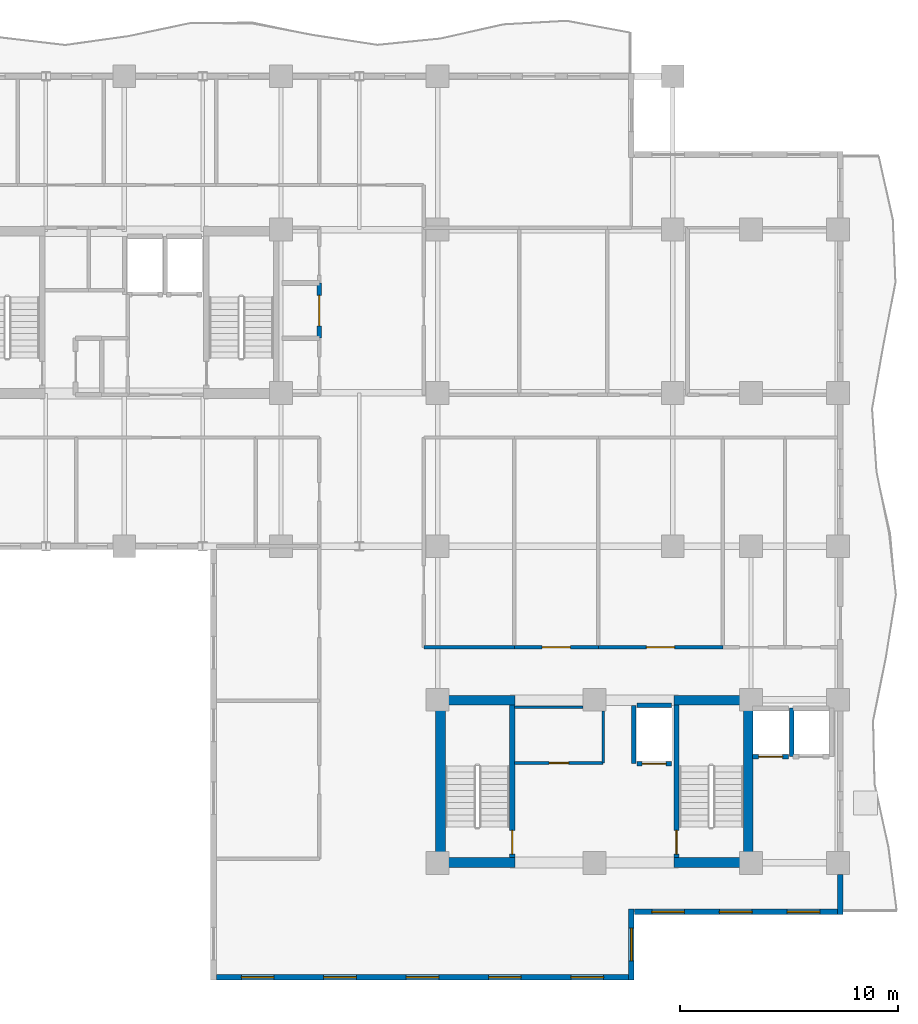
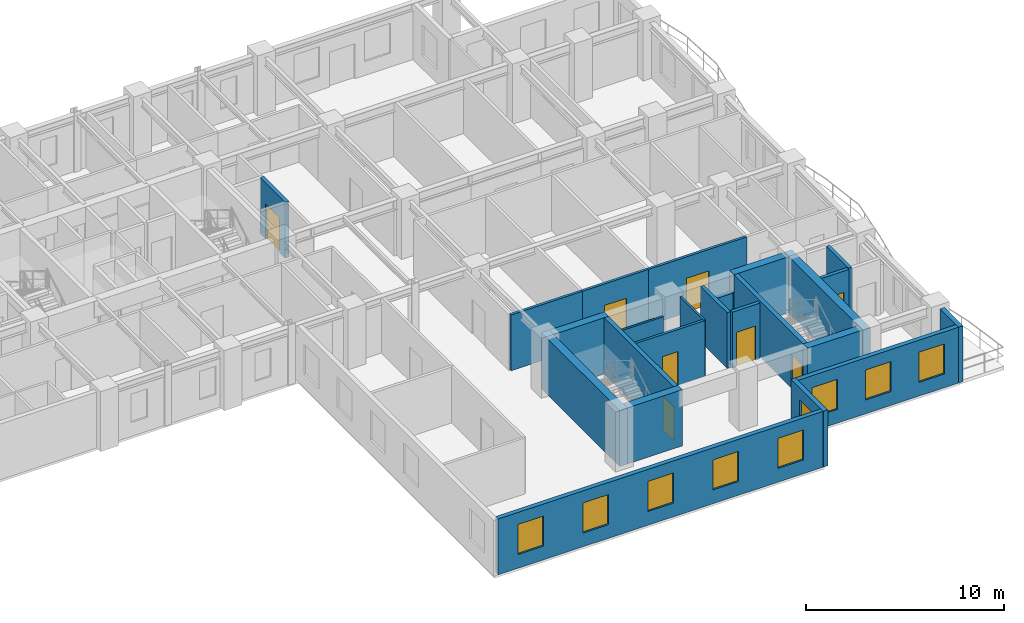
# One storey, part 11 of 18: 24 walls, 9 windows, 8 doors, 17 openings.
"""IFC4 building model written with IfcOpenShell, lengths in metres."""

from ifc_helpers import new_model, si_unit, direction, frame, frame_2d, origin, place, context, subcontext, project, spatial, rectangle, extrude, material, layer, layer_set, type_object, element, fill, save


model = new_model("IFC4")

# Units and contexts
model_context = context("Model", 3, precision=1e-05, world=origin(), true_north=direction((0.0, 1.0)))
body_context = subcontext(model_context, "Body", "Model", "MODEL_VIEW")
ifc_project = project(units=[si_unit("LENGTHUNIT", "METRE"), si_unit("AREAUNIT", "SQUARE_METRE"), si_unit("VOLUMEUNIT", "CUBIC_METRE"), si_unit("PLANEANGLEUNIT", "RADIAN"), si_unit("MASSUNIT", "GRAM", prefix="KILO")], contexts=[model_context])

# Site, building, storey
site_placement = place(None, origin())
site = spatial("IfcSite", under=ifc_project, at=site_placement, CompositionType="ELEMENT")
building_placement = place(site_placement, origin())
building = spatial("IfcBuilding", under=site, at=building_placement, Name="Kaliganga Portal Commons", CompositionType="ELEMENT")
storey_placement = place(building_placement, frame((0.0, 0.0, 169.800048828125)))
storey = spatial("IfcBuildingStorey", under=building, at=storey_placement, Name="L43", CompositionType="ELEMENT", Elevation=169.800048828125)

# Walls
ifc_material_1 = material(Name="Concrete C60/75", Category="concrete")
ifc_layer_1 = layer(ifc_material_1, 0.449951171875)
ifc_layer_set_1 = layer_set([ifc_layer_1], Name="Concrete C60/75")
wall_type_1 = type_object("IfcWallType", Name="WL-CORE-450", PredefinedType="SHEAR", material=ifc_layer_set_1)
for number, where, z_axis, x_axis, name in (
    (1, (36.125, 6.85009765625, 0.0), (0.0, 0.0, 1.0), (0.0, 1.0, 0.0), "Core B West Shear Wall L43"),
    (2, (50.27490234375, 6.85009765625, 0.0), (0.0, 0.0, 1.0), (0.0, 1.0, 0.0), "Core B East Shear Wall L43"),
):
    element("IfcWall", number, at=place(storey_placement, frame(where, z_axis=z_axis, x_axis=x_axis)), inside=storey, type_object=wall_type_1, Name=name, PredefinedType="SHEAR", context=body_context, shape_type="SweptSolid", body=[
        extrude(rectangle(XDim=7.89990234375, YDim=0.449951171875, at=frame_2d((3.949951171875, 0.0))), origin(), (0.0, 0.0, 1.0), 3.4599609375),
    ])
for number, where, z_axis, x_axis, name in (
    (3, (36.35009765625, 7.074951171875, 0.0), (0.0, 0.0, 1.0), (1.0, 0.0, 0.0), "Core B S-West Shear Wall L43"),
    (4, (46.85009765625, 7.074951171875, 0.0), (0.0, 0.0, 1.0), (1.0, 0.0, 0.0), "Core B S-East Shear Wall L43"),
    (5, (36.35009765625, 14.52490234375, 0.0), (0.0, 0.0, 1.0), (1.0, 0.0, 0.0), "Core B N-West Shear Wall L43"),
    (6, (46.85009765625, 14.52490234375, 0.0), (0.0, 0.0, 1.0), (1.0, 0.0, 0.0), "Core B N-East Shear Wall L43"),
):
    element("IfcWall", number, at=place(storey_placement, frame(where, z_axis=z_axis, x_axis=x_axis)), inside=storey, type_object=wall_type_1, Name=name, PredefinedType="SHEAR", context=body_context, shape_type="SweptSolid", body=[
        extrude(rectangle(XDim=3.199951171875, YDim=0.449951171875, at=frame_2d((1.60009765625, 0.0))), origin(), (0.0, 0.0, 1.0), 3.4599609375),
    ])

# Wall, openings, windows
ifc_material_2 = material(Name="Insulated Aluminium-Clad Spandrel Assembly", Category="aluminium")
ifc_layer_2 = layer(ifc_material_2, 0.260009765625)
ifc_layer_set_2 = layer_set([ifc_layer_2], Name="Insulated Aluminium-Clad Spandrel Assembly")
wall_type_2 = type_object("IfcWallType", Name="WL-EXT-SPAND-260", PredefinedType="STANDARD", material=ifc_layer_set_2)
wall_1_placement = place(storey_placement, frame((44.764892578125, 1.800048828125, 0.0), z_axis=(0.0, 0.0, 1.0), x_axis=(-1.0, 0.0, 0.0)))
wall_1 = element("IfcWall", 7, at=wall_1_placement, inside=storey, type_object=wall_type_2, Name="Exterior Envelope Wall L43 P1-E00-S1", PredefinedType="STANDARD", context=body_context, shape_type="SweptSolid", body=[
    extrude(rectangle(XDim=18.929931640625, YDim=0.260009765625, at=frame_2d((9.46484375, 0.0))), origin(), (0.0, 0.0, 1.0), 3.43994140625),
])
opening_1_placement = place(wall_1_placement, frame((1.14306640625, 0.0, 0.85009765625)))
opening_1 = element("IfcOpeningElement", 8, at=opening_1_placement, cuts=wall_1, Name="Opening W-02", PredefinedType="OPENING", context=body_context, shape_type="SweptSolid", body=[
    extrude(rectangle(XDim=1.5, YDim=1.85009765625, at=frame_2d((0.75, 0.925048828125))), frame((0.0, 0.14013671875, 0.0), z_axis=(0.0, -1.0, 0.0), x_axis=(1.0, 0.0, 0.0)), (0.0, 0.0, 1.0), 0.280029296875),
])
opening_2_placement = place(wall_1_placement, frame((4.928955078125, 0.0, 0.85009765625)))
opening_2 = element("IfcOpeningElement", 9, at=opening_2_placement, cuts=wall_1, Name="Opening W-02", PredefinedType="OPENING", context=body_context, shape_type="SweptSolid", body=[
    extrude(rectangle(XDim=1.5, YDim=1.85009765625, at=frame_2d((0.75, 0.925048828125))), frame((0.0, 0.14013671875, 0.0), z_axis=(0.0, -1.0, 0.0), x_axis=(1.0, 0.0, 0.0)), (0.0, 0.0, 1.0), 0.280029296875),
])
opening_3_placement = place(wall_1_placement, frame((8.715087890625, 0.0, 0.85009765625)))
opening_3 = element("IfcOpeningElement", 10, at=opening_3_placement, cuts=wall_1, Name="Opening W-02", PredefinedType="OPENING", context=body_context, shape_type="SweptSolid", body=[
    extrude(rectangle(XDim=1.5, YDim=1.85009765625, at=frame_2d((0.75, 0.925048828125))), frame((0.0, 0.14013671875, 0.0), z_axis=(0.0, -1.0, 0.0), x_axis=(1.0, 0.0, 0.0)), (0.0, 0.0, 1.0), 0.280029296875),
])
opening_4_placement = place(wall_1_placement, frame((12.5009765625, 0.0, 0.85009765625)))
opening_4 = element("IfcOpeningElement", 11, at=opening_4_placement, cuts=wall_1, Name="Opening W-02", PredefinedType="OPENING", context=body_context, shape_type="SweptSolid", body=[
    extrude(rectangle(XDim=1.5, YDim=1.85009765625, at=frame_2d((0.75, 0.925048828125))), frame((0.0, 0.14013671875, 0.0), z_axis=(0.0, -1.0, 0.0), x_axis=(1.0, 0.0, 0.0)), (0.0, 0.0, 1.0), 0.280029296875),
])
opening_5_placement = place(wall_1_placement, frame((16.287109375, 0.0, 0.85009765625)))
opening_5 = element("IfcOpeningElement", 12, at=opening_5_placement, cuts=wall_1, Name="Opening W-02", PredefinedType="OPENING", context=body_context, shape_type="SweptSolid", body=[
    extrude(rectangle(XDim=1.5, YDim=1.85009765625, at=frame_2d((0.75, 0.925048828125))), frame((0.0, 0.14013671875, 0.0), z_axis=(0.0, -1.0, 0.0), x_axis=(1.0, 0.0, 0.0)), (0.0, 0.0, 1.0), 0.280029296875),
])
ifc_material_3 = material(Name="Thermally Broken Aluminium and Low-E Double Glazing", Category="aluminium")
window_type = type_object("IfcWindowType", Name="WIN-STD-1500", PartitioningType="DOUBLE_PANEL_VERTICAL", PredefinedType="WINDOW", material=ifc_material_3)
window_1_placement = place(opening_1_placement, origin())
window_1 = element("IfcWindow", 13, at=window_1_placement, inside=storey, type_object=window_type, Name="Facade Window L43-P1E00S1-00", OverallHeight=1.85009765625, OverallWidth=1.5, PartitioningType="SINGLE_PANEL", PredefinedType="WINDOW", context=body_context, shape_type="SweptSolid", body=[
    extrude(rectangle(XDim=1.5, YDim=1.85009765625, at=frame_2d((0.75, 0.925048828125))), frame((0.0, 0.030029296875, 0.0), z_axis=(0.0, -1.0, 0.0), x_axis=(1.0, 0.0, 0.0)), (0.0, 0.0, 1.0), 0.06005859375),
])
fill(opening_1, window_1)
window_2_placement = place(opening_2_placement, origin())
window_2 = element("IfcWindow", 14, at=window_2_placement, inside=storey, type_object=window_type, Name="Facade Window L43-P1E00S1-01", OverallHeight=1.85009765625, OverallWidth=1.5, PartitioningType="SINGLE_PANEL", PredefinedType="WINDOW", context=body_context, shape_type="SweptSolid", body=[
    extrude(rectangle(XDim=1.5, YDim=1.85009765625, at=frame_2d((0.75, 0.925048828125))), frame((0.0, 0.030029296875, 0.0), z_axis=(0.0, -1.0, 0.0), x_axis=(1.0, 0.0, 0.0)), (0.0, 0.0, 1.0), 0.06005859375),
])
fill(opening_2, window_2)
window_3_placement = place(opening_3_placement, origin())
window_3 = element("IfcWindow", 15, at=window_3_placement, inside=storey, type_object=window_type, Name="Facade Window L43-P1E00S1-02", OverallHeight=1.85009765625, OverallWidth=1.5, PartitioningType="SINGLE_PANEL", PredefinedType="WINDOW", context=body_context, shape_type="SweptSolid", body=[
    extrude(rectangle(XDim=1.5, YDim=1.85009765625, at=frame_2d((0.75, 0.925048828125))), frame((0.0, 0.030029296875, 0.0), z_axis=(0.0, -1.0, 0.0), x_axis=(1.0, 0.0, 0.0)), (0.0, 0.0, 1.0), 0.06005859375),
])
fill(opening_3, window_3)
window_4_placement = place(opening_4_placement, origin())
window_4 = element("IfcWindow", 16, at=window_4_placement, inside=storey, type_object=window_type, Name="Facade Window L43-P1E00S1-03", OverallHeight=1.85009765625, OverallWidth=1.5, PartitioningType="SINGLE_PANEL", PredefinedType="WINDOW", context=body_context, shape_type="SweptSolid", body=[
    extrude(rectangle(XDim=1.5, YDim=1.85009765625, at=frame_2d((0.75, 0.925048828125))), frame((0.0, 0.030029296875, 0.0), z_axis=(0.0, -1.0, 0.0), x_axis=(1.0, 0.0, 0.0)), (0.0, 0.0, 1.0), 0.06005859375),
])
fill(opening_4, window_4)
window_5_placement = place(opening_5_placement, origin())
window_5 = element("IfcWindow", 17, at=window_5_placement, inside=storey, type_object=window_type, Name="Facade Window L43-P1E00S1-04", OverallHeight=1.85009765625, OverallWidth=1.5, PartitioningType="SINGLE_PANEL", PredefinedType="WINDOW", context=body_context, shape_type="SweptSolid", body=[
    extrude(rectangle(XDim=1.5, YDim=1.85009765625, at=frame_2d((0.75, 0.925048828125))), frame((0.0, 0.030029296875, 0.0), z_axis=(0.0, -1.0, 0.0), x_axis=(1.0, 0.0, 0.0)), (0.0, 0.0, 1.0), 0.06005859375),
])
fill(opening_5, window_5)

# Wall, opening, window
wall_2_placement = place(storey_placement, frame((44.89990234375, 4.929931640625, 0.0), z_axis=(0.0, 0.0, 1.0), x_axis=(0.0, -1.0, 0.0)))
wall_2 = element("IfcWall", 18, at=wall_2_placement, inside=storey, type_object=wall_type_2, Name="Exterior Envelope Wall L43 P1-E01-S1", PredefinedType="STANDARD", context=body_context, shape_type="SweptSolid", body=[
    extrude(rectangle(XDim=3.260009765625, YDim=0.260009765625, at=frame_2d((1.6298828125, 0.0))), origin(), (0.0, 0.0, 1.0), 3.43994140625),
])
opening_6_placement = place(wall_2_placement, frame((0.8798828125, 0.0, 0.85009765625)))
opening_6 = element("IfcOpeningElement", 19, at=opening_6_placement, cuts=wall_2, Name="Opening W-02", PredefinedType="OPENING", context=body_context, shape_type="SweptSolid", body=[
    extrude(rectangle(XDim=1.5, YDim=1.85009765625, at=frame_2d((0.75, 0.925048828125))), frame((0.0, 0.14013671875, 0.0), z_axis=(0.0, -1.0, 0.0), x_axis=(1.0, 0.0, 0.0)), (0.0, 0.0, 1.0), 0.280029296875),
])
window_6_placement = place(opening_6_placement, origin())
window_6 = element("IfcWindow", 20, at=window_6_placement, inside=storey, type_object=window_type, Name="Facade Window L43-P1E01S1-00", OverallHeight=1.85009765625, OverallWidth=1.5, PartitioningType="SINGLE_PANEL", PredefinedType="WINDOW", context=body_context, shape_type="SweptSolid", body=[
    extrude(rectangle(XDim=1.5, YDim=1.85009765625, at=frame_2d((0.75, 0.925048828125))), frame((0.0, 0.030029296875, 0.0), z_axis=(0.0, -1.0, 0.0), x_axis=(1.0, 0.0, 0.0)), (0.0, 0.0, 1.0), 0.06005859375),
])
fill(opening_6, window_6)

# Wall, openings, windows
wall_3_placement = place(storey_placement, frame((54.364990234375, 4.800048828125, 0.0), z_axis=(0.0, 0.0, 1.0), x_axis=(-1.0, 0.0, 0.0)))
wall_3 = element("IfcWall", 21, at=wall_3_placement, inside=storey, type_object=wall_type_2, Name="Exterior Envelope Wall L43 P1-E02-S1", PredefinedType="STANDARD", context=body_context, shape_type="SweptSolid", body=[
    extrude(rectangle(XDim=9.330078125, YDim=0.260009765625, at=frame_2d((4.6650390625, 0.0))), origin(), (0.0, 0.0, 1.0), 3.43994140625),
])
opening_7_placement = place(wall_3_placement, frame((0.804931640625, 0.0, 0.85009765625)))
opening_7 = element("IfcOpeningElement", 22, at=opening_7_placement, cuts=wall_3, Name="Opening W-02", PredefinedType="OPENING", context=body_context, shape_type="SweptSolid", body=[
    extrude(rectangle(XDim=1.5, YDim=1.85009765625, at=frame_2d((0.75, 0.925048828125))), frame((0.0, 0.14013671875, 0.0), z_axis=(0.0, -1.0, 0.0), x_axis=(1.0, 0.0, 0.0)), (0.0, 0.0, 1.0), 0.280029296875),
])
opening_8_placement = place(wall_3_placement, frame((3.9150390625, 0.0, 0.85009765625)))
opening_8 = element("IfcOpeningElement", 23, at=opening_8_placement, cuts=wall_3, Name="Opening W-02", PredefinedType="OPENING", context=body_context, shape_type="SweptSolid", body=[
    extrude(rectangle(XDim=1.5, YDim=1.85009765625, at=frame_2d((0.75, 0.925048828125))), frame((0.0, 0.14013671875, 0.0), z_axis=(0.0, -1.0, 0.0), x_axis=(1.0, 0.0, 0.0)), (0.0, 0.0, 1.0), 0.280029296875),
])
opening_9_placement = place(wall_3_placement, frame((7.02490234375, 0.0, 0.85009765625)))
opening_9 = element("IfcOpeningElement", 24, at=opening_9_placement, cuts=wall_3, Name="Opening W-02", PredefinedType="OPENING", context=body_context, shape_type="SweptSolid", body=[
    extrude(rectangle(XDim=1.5, YDim=1.85009765625, at=frame_2d((0.75, 0.925048828125))), frame((0.0, 0.14013671875, 0.0), z_axis=(0.0, -1.0, 0.0), x_axis=(1.0, 0.0, 0.0)), (0.0, 0.0, 1.0), 0.280029296875),
])
window_7_placement = place(opening_7_placement, origin())
window_7 = element("IfcWindow", 25, at=window_7_placement, inside=storey, type_object=window_type, Name="Facade Window L43-P1E02S1-00", OverallHeight=1.85009765625, OverallWidth=1.5, PartitioningType="SINGLE_PANEL", PredefinedType="WINDOW", context=body_context, shape_type="SweptSolid", body=[
    extrude(rectangle(XDim=1.5, YDim=1.85009765625, at=frame_2d((0.75, 0.925048828125))), frame((0.0, 0.030029296875, 0.0), z_axis=(0.0, -1.0, 0.0), x_axis=(1.0, 0.0, 0.0)), (0.0, 0.0, 1.0), 0.06005859375),
])
fill(opening_7, window_7)
window_8_placement = place(opening_8_placement, origin())
window_8 = element("IfcWindow", 26, at=window_8_placement, inside=storey, type_object=window_type, Name="Facade Window L43-P1E02S1-01", OverallHeight=1.85009765625, OverallWidth=1.5, PartitioningType="SINGLE_PANEL", PredefinedType="WINDOW", context=body_context, shape_type="SweptSolid", body=[
    extrude(rectangle(XDim=1.5, YDim=1.85009765625, at=frame_2d((0.75, 0.925048828125))), frame((0.0, 0.030029296875, 0.0), z_axis=(0.0, -1.0, 0.0), x_axis=(1.0, 0.0, 0.0)), (0.0, 0.0, 1.0), 0.06005859375),
])
fill(opening_8, window_8)
window_9_placement = place(opening_9_placement, origin())
window_9 = element("IfcWindow", 27, at=window_9_placement, inside=storey, type_object=window_type, Name="Facade Window L43-P1E02S1-02", OverallHeight=1.85009765625, OverallWidth=1.5, PartitioningType="SINGLE_PANEL", PredefinedType="WINDOW", context=body_context, shape_type="SweptSolid", body=[
    extrude(rectangle(XDim=1.5, YDim=1.85009765625, at=frame_2d((0.75, 0.925048828125))), frame((0.0, 0.030029296875, 0.0), z_axis=(0.0, -1.0, 0.0), x_axis=(1.0, 0.0, 0.0)), (0.0, 0.0, 1.0), 0.06005859375),
])
fill(opening_9, window_9)

# Wall
wall_4_placement = place(storey_placement, frame((54.5, 6.52392578125, 0.0), z_axis=(0.0, 0.0, 1.0), x_axis=(0.0, -1.0, 0.0)))
element("IfcWall", 28, at=wall_4_placement, inside=storey, type_object=wall_type_2, Name="Exterior Envelope Wall L43 P1-E03-S1", PredefinedType="STANDARD", context=body_context, shape_type="SweptSolid", body=[
    extrude(rectangle(XDim=1.85400390625, YDim=0.260009765625, at=frame_2d((0.927001953125, 0.0))), origin(), (0.0, 0.0, 1.0), 3.43994140625),
])

# Wall, opening, door
ifc_material_4 = material(Name="Fire-Rated Gypsum Board on Steel Stud", Category="steel")
ifc_layer_3 = layer(ifc_material_4, 0.14990234375)
ifc_layer_set_3 = layer_set([ifc_layer_3], Name="Fire-Rated Gypsum Board on Steel Stud")
wall_type_3 = type_object("IfcWallType", Name="WL-PART-CORR-150", PredefinedType="PARTITIONING", material=ifc_layer_set_3)
wall_5_placement = place(storey_placement, frame((43.3798828125, 16.9599609375, 0.0), z_axis=(0.0, 0.0, 1.0), x_axis=(1.0, 0.0, 0.0)))
wall_5 = element("IfcWall", 29, at=wall_5_placement, inside=storey, type_object=wall_type_3, Name="Interior Partition L43-017", PredefinedType="PARTITIONING", context=body_context, shape_type="SweptSolid", body=[
    extrude(rectangle(XDim=5.72021484375, YDim=0.14990234375, at=frame_2d((2.860107421875, 0.0))), origin(), (0.0, 0.0, 1.0), 3.43994140625),
])
opening_10_placement = place(wall_5_placement, frame((2.2099609375, 0.0, 0.0)))
opening_10 = element("IfcOpeningElement", 30, at=opening_10_placement, cuts=wall_5, Name="Opening RD-03", PredefinedType="OPENING", context=body_context, shape_type="SweptSolid", body=[
    extrude(rectangle(XDim=1.300048828125, YDim=2.1201171875, at=frame_2d((0.64990234375, 1.06005859375))), frame((0.0, 0.0849609375, 0.0), z_axis=(0.0, -1.0, 0.0), x_axis=(1.0, 0.0, 0.0)), (0.0, 0.0, 1.0), 0.169921875),
])
ifc_material_5 = material(Name="Glazed Timber Seminar Vision Door", Category="wood")
door_type_1 = type_object("IfcDoorType", Name="DR-STUDY-1300", OperationType="DOUBLE_DOOR_SINGLE_SWING", PredefinedType="DOOR", material=ifc_material_5)
door_1_placement = place(opening_10_placement, origin())
door_1 = element("IfcDoor", 31, at=door_1_placement, inside=storey, type_object=door_type_1, Name="Interior Door L43-BM03", OperationType="DOUBLE_DOOR_SINGLE_SWING", OverallHeight=2.1201171875, OverallWidth=1.300048828125, PredefinedType="DOOR", context=body_context, shape_type="SweptSolid", body=[
    extrude(rectangle(XDim=1.300048828125, YDim=2.1201171875, at=frame_2d((0.64990234375, 1.06005859375))), frame((0.0, 0.02490234375, 0.0), z_axis=(0.0, -1.0, 0.0), x_axis=(1.0, 0.0, 0.0)), (0.0, 0.0, 1.0), 0.050048828125),
])
fill(opening_10, door_1)

# Wall
wall_6_placement = place(storey_placement, frame((35.360107421875, 16.9599609375, 0.0), z_axis=(0.0, 0.0, 1.0), x_axis=(1.0, 0.0, 0.0)))
element("IfcWall", 32, at=wall_6_placement, inside=storey, type_object=wall_type_3, Name="Interior Partition L43-025", PredefinedType="PARTITIONING", context=body_context, shape_type="SweptSolid", body=[
    extrude(rectangle(XDim=4.159912109375, YDim=0.14990234375, at=frame_2d((2.080078125, 0.0))), origin(), (0.0, 0.0, 1.0), 3.43994140625),
])

# Wall, opening, door
wall_7_placement = place(storey_placement, frame((39.5400390625, 11.639892578125, 0.0), z_axis=(0.0, 0.0, 1.0), x_axis=(1.0, 0.0, 0.0)))
wall_7 = element("IfcWall", 33, at=wall_7_placement, inside=storey, type_object=wall_type_3, Name="Interior Partition L43-027", PredefinedType="PARTITIONING", context=body_context, shape_type="SweptSolid", body=[
    extrude(rectangle(XDim=4.06005859375, YDim=0.14990234375, at=frame_2d((2.030029296875, 0.0))), origin(), (0.0, 0.0, 1.0), 3.43994140625),
])
opening_11_placement = place(wall_7_placement, frame((1.580078125, 0.0, 0.0)))
opening_11 = element("IfcOpeningElement", 34, at=opening_11_placement, cuts=wall_7, Name="Opening RD-01", PredefinedType="OPENING", context=body_context, shape_type="SweptSolid", body=[
    extrude(rectangle(XDim=0.89990234375, YDim=2.080078125, at=frame_2d((0.449951171875, 1.0400390625))), frame((0.0, 0.0849609375, 0.0), z_axis=(0.0, -1.0, 0.0), x_axis=(1.0, 0.0, 0.0)), (0.0, 0.0, 1.0), 0.169921875),
])
ifc_material_6 = material(Name="Engineered Timber Flush Door", Category="wood")
door_type_2 = type_object("IfcDoorType", Name="DR-ROOM-900", OperationType="NOTDEFINED", PredefinedType="DOOR", material=ifc_material_6)
door_2_placement = place(opening_11_placement, origin())
door_2 = element("IfcDoor", 35, at=door_2_placement, inside=storey, type_object=door_type_2, Name="Interior Door L43-CREC_B1", OperationType="SINGLE_SWING_LEFT", OverallHeight=2.080078125, OverallWidth=0.89990234375, PredefinedType="DOOR", context=body_context, shape_type="SweptSolid", body=[
    extrude(rectangle(XDim=0.89990234375, YDim=2.080078125, at=frame_2d((0.449951171875, 1.0400390625))), frame((0.0, 0.02490234375, 0.0), z_axis=(0.0, -1.0, 0.0), x_axis=(1.0, 0.0, 0.0)), (0.0, 0.0, 1.0), 0.050048828125),
])
fill(opening_11, door_2)

wall_8_placement = place(storey_placement, frame((39.52001953125, 16.9599609375, 0.0), z_axis=(0.0, 0.0, 1.0), x_axis=(1.0, 0.0, 0.0)))
wall_8 = element("IfcWall", 36, at=wall_8_placement, inside=storey, type_object=wall_type_3, Name="Interior Partition L43-030", PredefinedType="PARTITIONING", context=body_context, shape_type="SweptSolid", body=[
    extrude(rectangle(XDim=3.85986328125, YDim=0.14990234375, at=frame_2d((1.929931640625, 0.0))), origin(), (0.0, 0.0, 1.0), 3.43994140625),
])
opening_12_placement = place(wall_8_placement, frame((1.280029296875, 0.0, 0.0)))
opening_12 = element("IfcOpeningElement", 37, at=opening_12_placement, cuts=wall_8, Name="Opening RD-03", PredefinedType="OPENING", context=body_context, shape_type="SweptSolid", body=[
    extrude(rectangle(XDim=1.300048828125, YDim=2.1201171875, at=frame_2d((0.64990234375, 1.06005859375))), frame((0.0, 0.0849609375, 0.0), z_axis=(0.0, -1.0, 0.0), x_axis=(1.0, 0.0, 0.0)), (0.0, 0.0, 1.0), 0.169921875),
])
door_3_placement = place(opening_12_placement, origin())
door_3 = element("IfcDoor", 38, at=door_3_placement, inside=storey, type_object=door_type_1, Name="Interior Door L43-BM02", OperationType="DOUBLE_DOOR_SINGLE_SWING", OverallHeight=2.1201171875, OverallWidth=1.300048828125, PredefinedType="DOOR", context=body_context, shape_type="SweptSolid", body=[
    extrude(rectangle(XDim=1.300048828125, YDim=2.1201171875, at=frame_2d((0.64990234375, 1.06005859375))), frame((0.0, 0.02490234375, 0.0), z_axis=(0.0, -1.0, 0.0), x_axis=(1.0, 0.0, 0.0)), (0.0, 0.0, 1.0), 0.050048828125),
])
fill(opening_12, door_3)

ifc_material_7 = material(Name="Lightweight blockwork masonry", Category="masonry")
ifc_layer_4 = layer(ifc_material_7, 0.215087890625)
ifc_layer_set_4 = layer_set([ifc_layer_4], Name="Lightweight blockwork masonry")
wall_type_4 = type_object("IfcWallType", Name="WL-PART-PLANT-215", PredefinedType="PARTITIONING", material=ifc_layer_set_4)
wall_9_placement = place(storey_placement, frame((30.56005859375, 31.159912109375, 0.0), z_axis=(0.0, 0.0, 1.0), x_axis=(0.0, 1.0, 0.0)))
wall_9 = element("IfcWall", 39, at=wall_9_placement, inside=storey, type_object=wall_type_4, Name="Interior Partition L43-043", PredefinedType="PARTITIONING", context=body_context, shape_type="SweptSolid", body=[
    extrude(rectangle(XDim=2.5400390625, YDim=0.215087890625, at=frame_2d((1.27001953125, 0.0))), origin(), (0.0, 0.0, 1.0), 3.43994140625),
])
opening_13_placement = place(wall_9_placement, frame((0.570068359375, 0.0, 0.0)))
opening_13 = element("IfcOpeningElement", 40, at=opening_13_placement, cuts=wall_9, Name="Opening PD-01", PredefinedType="OPENING", context=body_context, shape_type="SweptSolid", body=[
    extrude(rectangle(XDim=1.39990234375, YDim=2.14990234375, at=frame_2d((0.699951171875, 1.074951171875))), frame((0.0, 0.11767578125, 0.0), z_axis=(0.0, -1.0, 0.0), x_axis=(1.0, 0.0, 0.0)), (0.0, 0.0, 1.0), 0.235107421875),
])
ifc_material_8 = material(Name="Heavy-Duty Steel Acoustic Louvre Fire Door", Category="steel")
door_type_3 = type_object("IfcDoorType", Name="DR-PLANT-1400", OperationType="DOUBLE_DOOR_SINGLE_SWING", PredefinedType="DOOR", material=ifc_material_8)
door_4_placement = place(opening_13_placement, origin())
door_4 = element("IfcDoor", 41, at=door_4_placement, inside=storey, type_object=door_type_3, Name="Interior Door L43-CSRV_A3", OperationType="DOUBLE_DOOR_SINGLE_SWING", OverallHeight=2.14990234375, OverallWidth=1.39990234375, PredefinedType="DOOR", context=body_context, shape_type="SweptSolid", body=[
    extrude(rectangle(XDim=1.39990234375, YDim=2.14990234375, at=frame_2d((0.699951171875, 1.074951171875))), frame((0.0, 0.02490234375, 0.0), z_axis=(0.0, -1.0, 0.0), x_axis=(1.0, 0.0, 0.0)), (0.0, 0.0, 1.0), 0.050048828125),
])
fill(opening_13, door_4)

# Walls
ifc_material_9 = material(Name="Moisture-Resistant Gypsum Partition", Category="gypsum")
ifc_layer_5 = layer(ifc_material_9, 0.114990234375)
ifc_layer_set_5 = layer_set([ifc_layer_5], Name="Moisture-Resistant Gypsum Partition")
wall_type_5 = type_object("IfcWallType", Name="WL-PART-ROOM-115", PredefinedType="PARTITIONING", material=ifc_layer_set_5)
wall_10_placement = place(storey_placement, frame((39.5400390625, 14.199951171875, 0.0), z_axis=(0.0, 0.0, 1.0), x_axis=(1.0, 0.0, 0.0)))
element("IfcWall", 42, at=wall_10_placement, inside=storey, type_object=wall_type_5, Name="Interior Partition L43-081", PredefinedType="PARTITIONING", context=body_context, shape_type="SweptSolid", body=[
    extrude(rectangle(XDim=3.135009765625, YDim=0.114990234375, at=frame_2d((1.5673828125, 0.0))), origin(), (0.0, 0.0, 1.0), 2.43994140625),
])
wall_11_placement = place(storey_placement, frame((43.60009765625, 11.639892578125, 0.0), z_axis=(0.0, 0.0, 1.0), x_axis=(0.0, 1.0, 0.0)))
element("IfcWall", 43, at=wall_11_placement, inside=storey, type_object=wall_type_5, Name="Interior Partition L43-089", PredefinedType="PARTITIONING", context=body_context, shape_type="SweptSolid", body=[
    extrude(rectangle(XDim=2.385009765625, YDim=0.114990234375, at=frame_2d((1.1923828125, 0.0))), origin(), (0.0, 0.0, 1.0), 3.43994140625),
])

# Wall, opening, door
ifc_material_10 = material(Name="Fire-Rated Shaftwall Masonry Assembly", Category="masonry")
ifc_layer_6 = layer(ifc_material_10, 0.199951171875)
ifc_layer_set_6 = layer_set([ifc_layer_6], Name="Fire-Rated Shaftwall Masonry Assembly")
wall_type_6 = type_object("IfcWallType", Name="WL-SHAFT-200", PredefinedType="PARTITIONING", material=ifc_layer_set_6)
wall_12_placement = place(storey_placement, frame((50.47509765625, 11.93505859375, 0.0), z_axis=(0.0, 0.0, 1.0), x_axis=(1.0, 0.0, 0.0)))
wall_12 = element("IfcWall", 44, at=wall_12_placement, inside=storey, type_object=wall_type_6, Name="Lift PL-B3 Hoistway Shaft Wall L43-S", PredefinedType="PARTITIONING", context=body_context, shape_type="SweptSolid", body=[
    extrude(rectangle(XDim=1.64990234375, YDim=0.199951171875, at=frame_2d((0.824951171875, 0.0))), origin(), (0.0, 0.0, 1.0), 3.43994140625),
])
opening_14_placement = place(wall_12_placement, frame((0.27490234375, 0.0, 0.0)))
opening_14 = element("IfcOpeningElement", 45, at=opening_14_placement, cuts=wall_12, Name="Opening LD-01", PredefinedType="OPENING", context=body_context, shape_type="SweptSolid", body=[
    extrude(rectangle(XDim=1.10009765625, YDim=2.1201171875, at=frame_2d((0.550048828125, 1.06005859375))), frame((0.0, 0.10986328125, 0.0), z_axis=(0.0, -1.0, 0.0), x_axis=(1.0, 0.0, 0.0)), (0.0, 0.0, 1.0), 0.219970703125),
])
ifc_material_11 = material(Name="Brushed Stainless Steel 316 Lift Landing Door", Category="steel")
door_type_4 = type_object("IfcDoorType", Name="DR-LIFT-1100", OperationType="SLIDING_TO_LEFT", PredefinedType="DOOR", material=ifc_material_11)
door_5_placement = place(opening_14_placement, origin())
door_5 = element("IfcDoor", 46, at=door_5_placement, inside=storey, type_object=door_type_4, Name="Lift PL-B3 Sliding Landing Door L43", OperationType="SLIDING_TO_LEFT", OverallHeight=2.1201171875, OverallWidth=1.10009765625, PredefinedType="DOOR", context=body_context, shape_type="SweptSolid", body=[
    extrude(rectangle(XDim=1.10009765625, YDim=2.1201171875, at=frame_2d((0.550048828125, 1.06005859375))), frame((0.0, 0.02490234375, 0.0), z_axis=(0.0, -1.0, 0.0), x_axis=(1.0, 0.0, 0.0)), (0.0, 0.0, 1.0), 0.050048828125),
])
fill(opening_14, door_5)

# Wall
wall_13_placement = place(storey_placement, frame((52.264892578125, 11.93505859375, 0.0), z_axis=(0.0, 0.0, 1.0), x_axis=(0.0, 1.0, 0.0)))
element("IfcWall", 47, at=wall_13_placement, inside=storey, type_object=wall_type_6, Name="Lift PL-B3 Hoistway Shaft Wall L43-E", PredefinedType="PARTITIONING", context=body_context, shape_type="SweptSolid", body=[
    extrude(rectangle(XDim=2.22998046875, YDim=0.199951171875, at=frame_2d((1.114990234375, 0.0))), origin(), (0.0, 0.0, 1.0), 3.43994140625),
])

# Wall, opening, door
wall_14_placement = place(storey_placement, frame((45.14990234375, 11.610107421875, 0.0), z_axis=(0.0, 0.0, 1.0), x_axis=(1.0, 0.0, 0.0)))
wall_14 = element("IfcWall", 48, at=wall_14_placement, inside=storey, type_object=wall_type_6, Name="Lift SL-B1 Hoistway Shaft Wall L43-S", PredefinedType="PARTITIONING", context=body_context, shape_type="SweptSolid", body=[
    extrude(rectangle(XDim=1.60009765625, YDim=0.199951171875, at=frame_2d((0.800048828125, 0.0))), origin(), (0.0, 0.0, 1.0), 3.43994140625),
])
opening_15_placement = place(wall_14_placement, frame((0.25, 0.0, 0.0)))
opening_15 = element("IfcOpeningElement", 49, at=opening_15_placement, cuts=wall_14, Name="Opening LD-01", PredefinedType="OPENING", context=body_context, shape_type="SweptSolid", body=[
    extrude(rectangle(XDim=1.10009765625, YDim=2.1201171875, at=frame_2d((0.550048828125, 1.06005859375))), frame((0.0, 0.10986328125, 0.0), z_axis=(0.0, -1.0, 0.0), x_axis=(1.0, 0.0, 0.0)), (0.0, 0.0, 1.0), 0.219970703125),
])
door_6_placement = place(opening_15_placement, origin())
door_6 = element("IfcDoor", 50, at=door_6_placement, inside=storey, type_object=door_type_4, Name="Lift SL-B1 Sliding Landing Door L43", OperationType="SLIDING_TO_LEFT", OverallHeight=2.1201171875, OverallWidth=1.10009765625, PredefinedType="DOOR", context=body_context, shape_type="SweptSolid", body=[
    extrude(rectangle(XDim=1.10009765625, YDim=2.1201171875, at=frame_2d((0.550048828125, 1.06005859375))), frame((0.0, 0.02490234375, 0.0), z_axis=(0.0, -1.0, 0.0), x_axis=(1.0, 0.0, 0.0)), (0.0, 0.0, 1.0), 0.050048828125),
])
fill(opening_15, door_6)

# Walls
wall_15_placement = place(storey_placement, frame((45.14990234375, 14.2900390625, 0.0), z_axis=(0.0, 0.0, 1.0), x_axis=(1.0, 0.0, 0.0)))
element("IfcWall", 51, at=wall_15_placement, inside=storey, type_object=wall_type_6, Name="Lift SL-B1 Hoistway Shaft Wall L43-N", PredefinedType="PARTITIONING", context=body_context, shape_type="SweptSolid", body=[
    extrude(rectangle(XDim=1.60009765625, YDim=0.199951171875, at=frame_2d((0.800048828125, 0.0))), origin(), (0.0, 0.0, 1.0), 2.43994140625),
])
wall_16_placement = place(storey_placement, frame((45.010009765625, 11.610107421875, 0.0), z_axis=(0.0, 0.0, 1.0), x_axis=(0.0, 1.0, 0.0)))
element("IfcWall", 52, at=wall_16_placement, inside=storey, type_object=wall_type_6, Name="Lift SL-B1 Hoistway Shaft Wall L43-W", PredefinedType="PARTITIONING", context=body_context, shape_type="SweptSolid", body=[
    extrude(rectangle(XDim=2.679931640625, YDim=0.199951171875, at=frame_2d((1.33984375, 0.0))), origin(), (0.0, 0.0, 1.0), 3.43994140625),
])

# Wall, opening, door
ifc_material_12 = material(Name="Concrete C50/60", Category="concrete")
ifc_layer_7 = layer(ifc_material_12, 0.25)
ifc_layer_set_7 = layer_set([ifc_layer_7], Name="Concrete C50/60")
wall_type_7 = type_object("IfcWallType", Name="WL-STAIR-250", PredefinedType="SHEAR", material=ifc_layer_set_7)
wall_17_placement = place(storey_placement, frame((39.425048828125, 7.300048828125, 0.0), z_axis=(0.0, 0.0, 1.0), x_axis=(0.0, 1.0, 0.0)))
wall_17 = element("IfcWall", 53, at=wall_17_placement, inside=storey, type_object=wall_type_7, Name="Stair B1 Enclosure Shear Wall L43", PredefinedType="SHEAR", context=body_context, shape_type="SweptSolid", body=[
    extrude(rectangle(XDim=7.0, YDim=0.25, at=frame_2d((3.5, 0.0))), origin(), (0.0, 0.0, 1.0), 3.4599609375),
])
opening_16_placement = place(wall_17_placement, frame((0.14990234375, 0.0, 0.0)))
opening_16 = element("IfcOpeningElement", 54, at=opening_16_placement, cuts=wall_17, Name="Opening SD-01", PredefinedType="OPENING", context=body_context, shape_type="SweptSolid", body=[
    extrude(rectangle(XDim=1.10009765625, YDim=2.080078125, at=frame_2d((0.550048828125, 1.0400390625))), frame((0.0, 0.135009765625, 0.0), z_axis=(0.0, -1.0, 0.0), x_axis=(1.0, 0.0, 0.0)), (0.0, 0.0, 1.0), 0.27001953125),
])
ifc_material_13 = material(Name="Galvanized Steel Fire Door Leaf and Frame", Category="steel")
door_type_5 = type_object("IfcDoorType", Name="DR-STAIR-1100", OperationType="NOTDEFINED", PredefinedType="DOOR", material=ifc_material_13)
door_7_placement = place(opening_16_placement, origin())
door_7 = element("IfcDoor", 55, at=door_7_placement, inside=storey, type_object=door_type_5, Name="Protected Stair ST-B1 Fire Door L43", OperationType="SINGLE_SWING_LEFT", OverallHeight=2.080078125, OverallWidth=1.10009765625, PredefinedType="DOOR", context=body_context, shape_type="SweptSolid", body=[
    extrude(rectangle(XDim=1.10009765625, YDim=2.080078125, at=frame_2d((0.550048828125, 1.0400390625))), frame((0.0, 0.02490234375, 0.0), z_axis=(0.0, -1.0, 0.0), x_axis=(1.0, 0.0, 0.0)), (0.0, 0.0, 1.0), 0.050048828125),
])
fill(opening_16, door_7)

wall_18_placement = place(storey_placement, frame((46.97509765625, 7.300048828125, 0.0), z_axis=(0.0, 0.0, 1.0), x_axis=(0.0, 1.0, 0.0)))
wall_18 = element("IfcWall", 56, at=wall_18_placement, inside=storey, type_object=wall_type_7, Name="Stair B2 Enclosure Shear Wall L43", PredefinedType="SHEAR", context=body_context, shape_type="SweptSolid", body=[
    extrude(rectangle(XDim=7.0, YDim=0.25, at=frame_2d((3.5, 0.0))), origin(), (0.0, 0.0, 1.0), 3.4599609375),
])
opening_17_placement = place(wall_18_placement, frame((0.14990234375, 0.0, 0.0)))
opening_17 = element("IfcOpeningElement", 57, at=opening_17_placement, cuts=wall_18, Name="Opening SD-01", PredefinedType="OPENING", context=body_context, shape_type="SweptSolid", body=[
    extrude(rectangle(XDim=1.10009765625, YDim=2.080078125, at=frame_2d((0.550048828125, 1.0400390625))), frame((0.0, 0.135009765625, 0.0), z_axis=(0.0, -1.0, 0.0), x_axis=(1.0, 0.0, 0.0)), (0.0, 0.0, 1.0), 0.27001953125),
])
door_8_placement = place(opening_17_placement, origin())
door_8 = element("IfcDoor", 58, at=door_8_placement, inside=storey, type_object=door_type_5, Name="Protected Stair ST-B2 Fire Door L43", OperationType="SINGLE_SWING_RIGHT", OverallHeight=2.080078125, OverallWidth=1.10009765625, PredefinedType="DOOR", context=body_context, shape_type="SweptSolid", body=[
    extrude(rectangle(XDim=1.10009765625, YDim=2.080078125, at=frame_2d((0.550048828125, 1.0400390625))), frame((0.0, 0.02490234375, 0.0), z_axis=(0.0, -1.0, 0.0), x_axis=(1.0, 0.0, 0.0)), (0.0, 0.0, 1.0), 0.050048828125),
])
fill(opening_17, door_8)

save(model, "model.ifc")
